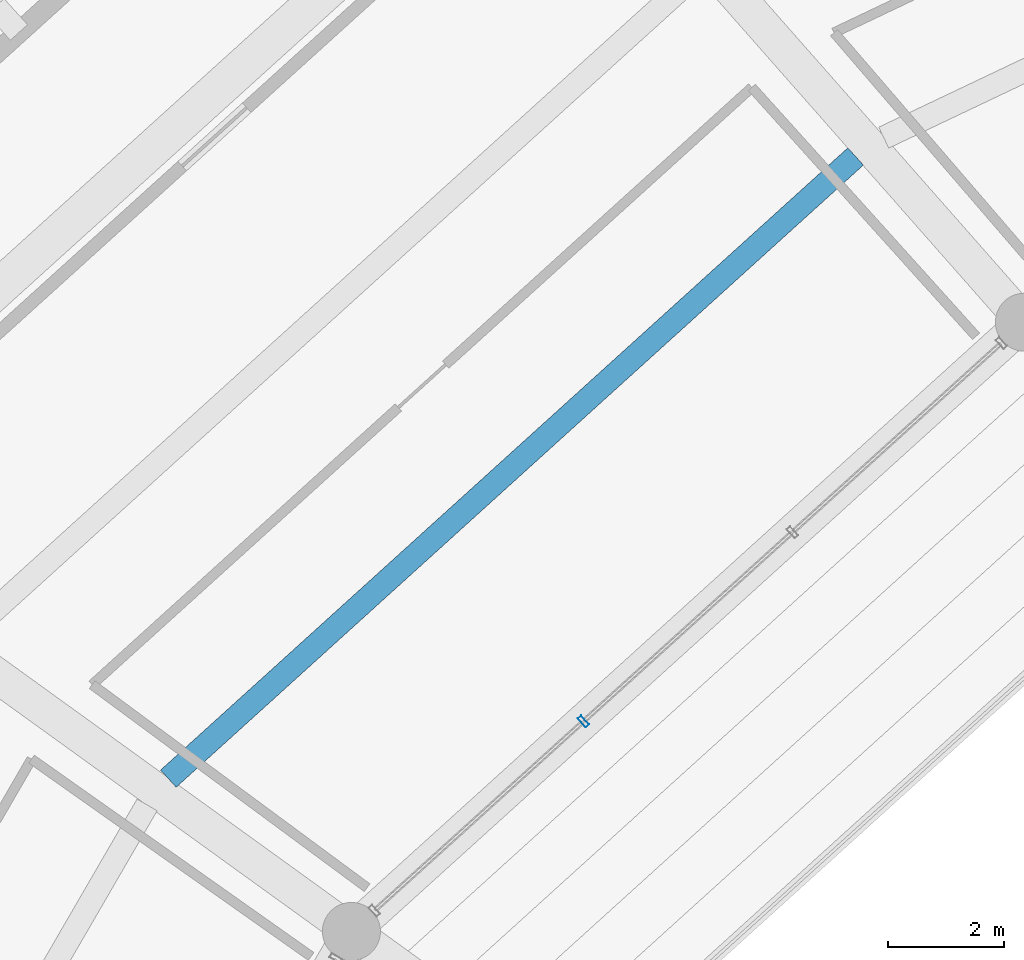
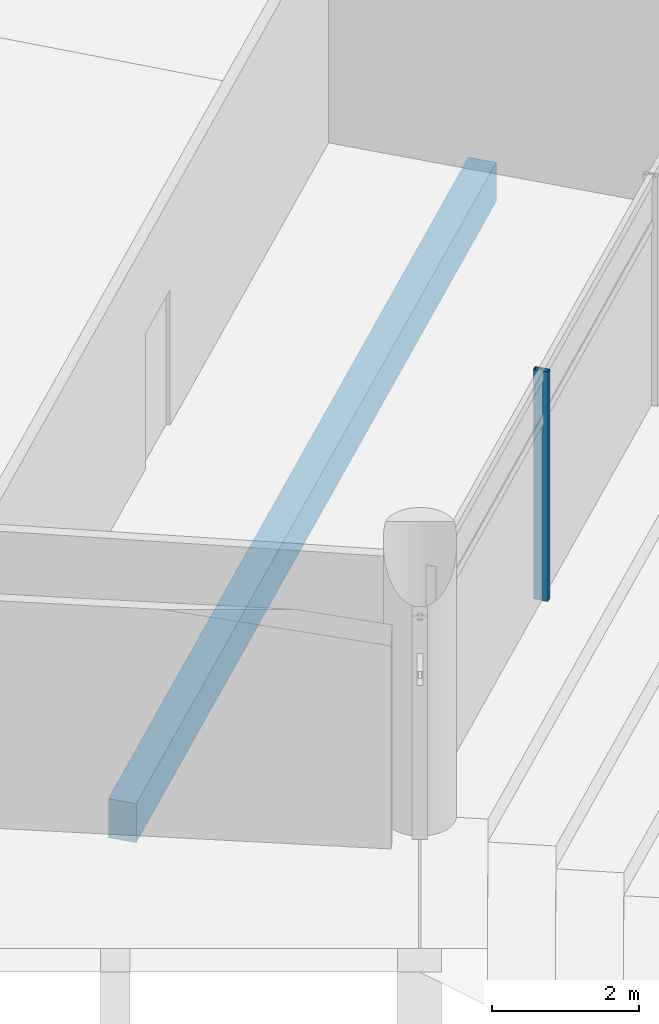
# One storey, part 79 of 171: 1 beam, 1 member, 1 element without a shape of its own.
"""IFC4 building model written with IfcOpenShell, lengths in metres."""

from ifc_helpers import new_model, si_unit, direction, frame, origin, origin_2d, place, context, subcontext, project, spatial, rectangle, hollow_rectangle, extrude, material, layer, layer_set, material_profile, profile_set, type_object, element, aggregate, save


model = new_model("IFC4")

# Units and contexts
model_context = context("Model", 3, precision=1e-05, world=origin(), true_north=direction((0.0, 1.0)))
body_context = subcontext(model_context, "Body", "Model", "MODEL_VIEW")
ifc_project = project(units=[si_unit("LENGTHUNIT", "METRE"), si_unit("AREAUNIT", "SQUARE_METRE"), si_unit("VOLUMEUNIT", "CUBIC_METRE"), si_unit("PLANEANGLEUNIT", "RADIAN"), si_unit("MASSUNIT", "GRAM", prefix="KILO")], contexts=[model_context])

# Site, building, storey
site_placement = place(None, origin())
site = spatial("IfcSite", under=ifc_project, at=site_placement, CompositionType="ELEMENT")
building_placement = place(site_placement, origin())
building = spatial("IfcBuilding", under=site, at=building_placement, Name="Kazemori Nagisa Stadium", CompositionType="ELEMENT")
storey_placement = place(building_placement, frame((0.0, 0.0, 15.639892578125)))
storey = spatial("IfcBuildingStorey", under=building, at=storey_placement, Name="L03", CompositionType="ELEMENT", Elevation=15.639892578125)

# Beam
ifc_material_1 = material(Name="Concrete C40/50 (Fc42)", Category="concrete")
ifc_material_profile_1 = material_profile(ifc_material_1, rectangle(XDim=0.39990234375, YDim=0.64990234375, at=origin_2d()), Name="RC-BM-400x650")
ifc_profile_set_1 = profile_set([ifc_material_profile_1], Name="Concrete C40/50 (Fc42)")
beam_type = type_object("IfcBeamType", Name="Beam_BJ-RC400X650", PredefinedType="JOIST", material=ifc_profile_set_1)
beam_placement = place(storey_placement, frame((74.39306640625, 156.730712890625, -0.5849609375), z_axis=(-0.741344716793, -0.671124437704, 0.0), x_axis=(0.671124437704, -0.741344716793, 0.0)))
element("IfcBeam", 1, at=beam_placement, inside=storey, type_object=beam_type, Name="Concourse joist BJ-RC400X650 L03 B11-1", PredefinedType="JOIST", context=body_context, shape_type="SweptSolid", body=[
    extrude(rectangle(XDim=0.39990234375, YDim=0.64990234375, at=origin_2d()), origin(), (0.0, 0.0, 1.0), 15.986328125),
])

# Curtain wall, member
ifc_material_2 = material(Name="Anodised aluminium 6063-T5", Category="aluminium")
ifc_layer = layer(ifc_material_2, 0.2099609375, Name="Anodised aluminium 6063-T5", Category="aluminium")
ifc_layer_set = layer_set([ifc_layer], Name="Anodised aluminium 6063-T5")
curtain_wall_type = type_object("IfcCurtainWallType", Name="CW_L03B_73", PredefinedType="USERDEFINED", material=ifc_layer_set)
curtain_wall_placement = place(storey_placement, origin())
curtain_wall = element("IfcCurtainWall", 2, at=curtain_wall_placement, inside=storey, type_object=curtain_wall_type, Name="Unitised curtain wall CW-L03B-73 L03", ObjectType="UNITISED CURTAIN WALL", PredefinedType="USERDEFINED")
ifc_material_3 = material(Name="Aluminium 6063-T5 anodised", Category="aluminium")
ifc_material_profile_2 = material_profile(ifc_material_3, hollow_rectangle(XDim=0.080078125, YDim=0.2099609375, WallThickness=0.0048828125, at=origin_2d()), Name="ALU-MULL-80x210x5")
ifc_profile_set_2 = profile_set([ifc_material_profile_2], Name="Aluminium 6063-T5 anodised")
member_type = type_object("IfcMemberType", Name="Mullion_M02", PredefinedType="MULLION", material=ifc_profile_set_2)
member_placement = place(storey_placement, frame((69.698974609375, 146.989013671875, 0.0), z_axis=(0.0, 0.0, 1.0), x_axis=(-0.741350875443, -0.671117634607, 0.0)))
member = element("IfcMember", 3, at=member_placement, type_object=member_type, Name="Curtain wall mullion CW-L03B-73-M3", PredefinedType="MULLION", context=body_context, shape_type="SweptSolid", body=[
    extrude(hollow_rectangle(XDim=0.080078125, YDim=0.2099609375, WallThickness=0.0048828125, at=origin_2d()), origin(), (0.0, 0.0, 1.0), 3.81005859375),
])
aggregate(curtain_wall, [member])

save(model, "model.ifc")
